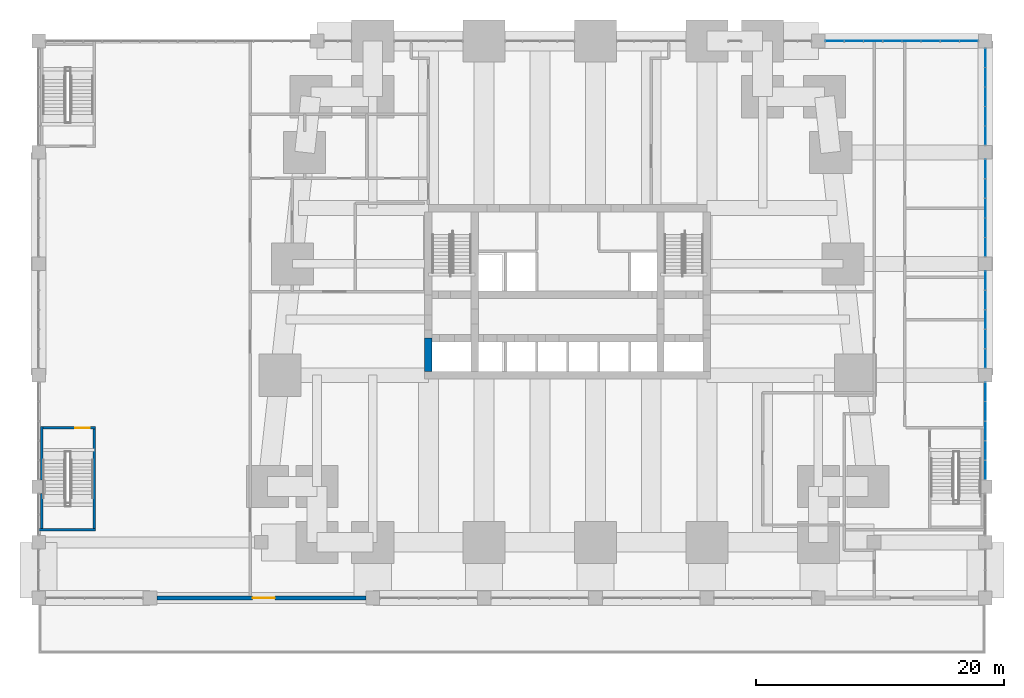
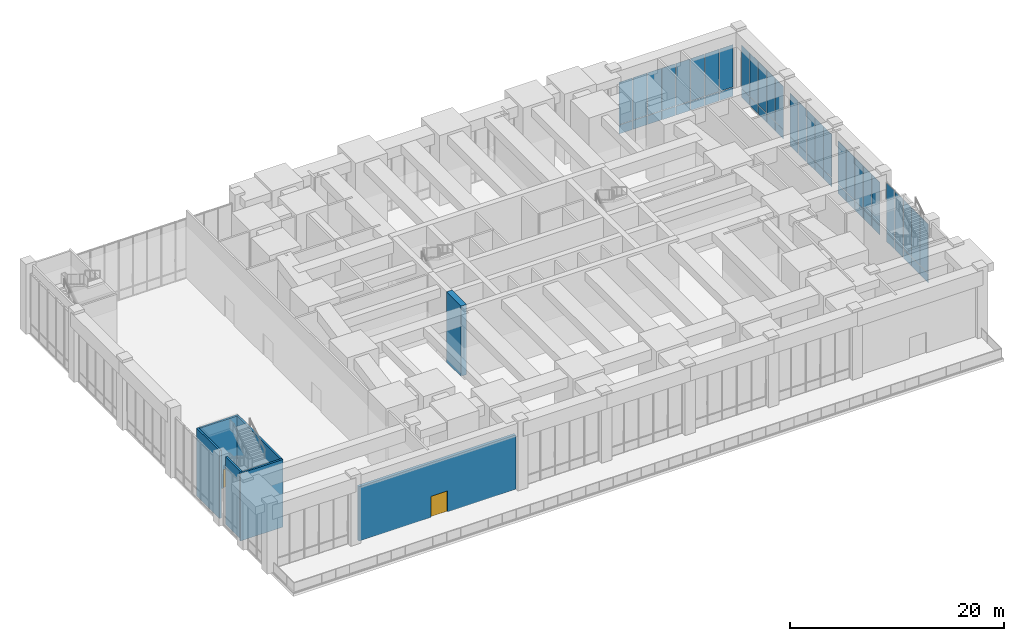
# One storey, part 17 of 26: 56 plates, 7 walls, 2 doors, 2 openings, 5 elements without a shape of their own.
"""IFC4 building model written with IfcOpenShell, lengths in metres."""

from ifc_helpers import new_model, si_unit, direction, frame, frame_2d, origin, origin_2d, place, context, subcontext, project, spatial, rectangle, extrude, material, layer, layer_set, type_object, element, fill, aggregate, save


model = new_model("IFC4")

# Units and contexts
model_context = context("Model", 3, precision=1e-05, world=origin(), true_north=direction((0.0, 1.0)))
body_context = subcontext(model_context, "Body", "Model", "MODEL_VIEW")
ifc_project = project(units=[si_unit("LENGTHUNIT", "METRE"), si_unit("AREAUNIT", "SQUARE_METRE"), si_unit("VOLUMEUNIT", "CUBIC_METRE"), si_unit("PLANEANGLEUNIT", "RADIAN"), si_unit("MASSUNIT", "GRAM", prefix="KILO")], contexts=[model_context])

# Site, building, storey
site_placement = place(None, origin())
site = spatial("IfcSite", under=ifc_project, at=site_placement, CompositionType="ELEMENT")
building_placement = place(site_placement, origin())
building = spatial("IfcBuilding", under=site, at=building_placement, Name="Kilele Tower Hotel", CompositionType="ELEMENT")
storey_placement = place(building_placement, frame((0.0, 0.0, 11.0)))
storey = spatial("IfcBuildingStorey", under=building, at=storey_placement, Name="L02", CompositionType="ELEMENT", Elevation=11.0)

# Curtain wall, plates
ifc_material_1 = material(Name="Aluminium curtain wall, clear double glazing", Category="aluminium")
curtain_wall_type_1 = type_object("IfcCurtainWallType", Name="Podium curtain wall CW-1", PredefinedType="NOTDEFINED", material=ifc_material_1)
curtain_wall_1_placement = place(storey_placement, origin())
curtain_wall_1 = element("IfcCurtainWall", 1, at=curtain_wall_1_placement, inside=storey, type_object=curtain_wall_type_1, Name="Podium curtain wall CW-1 L02", PredefinedType="NOTDEFINED")
ifc_material_2 = material(Name="Clear double glazing", Category="glass")
ifc_layer_1 = layer(ifc_material_2, 0.028076171875)
ifc_layer_set_1 = layer_set([ifc_layer_1], Name="Clear double glazing")
plate_type_1 = type_object("IfcPlateType", Name="Glazed panel 28 CW-1", PredefinedType="CURTAIN_PANEL", material=ifc_layer_set_1)
plate_1_placement = place(storey_placement, frame((57.159912109375, 40.5, 0.06005859375), z_axis=(0.0, 0.0, 1.0), x_axis=(-1.0, 0.0, 0.0)))
plate_1 = element("IfcPlate", 2, at=plate_1_placement, type_object=plate_type_1, Name="CW-1 panel 1.1", PredefinedType="CURTAIN_PANEL", context=body_context, shape_type="SweptSolid", body=[
    extrude(rectangle(XDim=1.4599609375, YDim=0.028076171875, at=origin_2d()), origin(), (0.0, 0.0, 1.0), 1.010009765625),
])
plate_2_placement = place(storey_placement, frame((57.159912109375, 40.5, 1.1298828125), z_axis=(0.0, 0.0, 1.0), x_axis=(-1.0, 0.0, 0.0)))
plate_2 = element("IfcPlate", 3, at=plate_2_placement, type_object=plate_type_1, Name="CW-1 panel 1.2", PredefinedType="CURTAIN_PANEL", context=body_context, shape_type="SweptSolid", body=[
    extrude(rectangle(XDim=1.4599609375, YDim=0.028076171875, at=origin_2d()), origin(), (0.0, 0.0, 1.0), 4.81005859375),
])
plate_3_placement = place(storey_placement, frame((55.625, 40.5, 0.06005859375), z_axis=(0.0, 0.0, 1.0), x_axis=(-1.0, 0.0, 0.0)))
plate_3 = element("IfcPlate", 4, at=plate_3_placement, type_object=plate_type_1, Name="CW-1 panel 2.1", PredefinedType="CURTAIN_PANEL", context=body_context, shape_type="SweptSolid", body=[
    extrude(rectangle(XDim=1.489990234375, YDim=0.028076171875, at=origin_2d()), origin(), (0.0, 0.0, 1.0), 1.010009765625),
])
plate_4_placement = place(storey_placement, frame((55.625, 40.5, 1.1298828125), z_axis=(0.0, 0.0, 1.0), x_axis=(-1.0, 0.0, 0.0)))
plate_4 = element("IfcPlate", 5, at=plate_4_placement, type_object=plate_type_1, Name="CW-1 panel 2.2", PredefinedType="CURTAIN_PANEL", context=body_context, shape_type="SweptSolid", body=[
    extrude(rectangle(XDim=1.489990234375, YDim=0.028076171875, at=origin_2d()), origin(), (0.0, 0.0, 1.0), 4.81005859375),
])
plate_5_placement = place(storey_placement, frame((54.074951171875, 40.5, 0.06005859375), z_axis=(0.0, 0.0, 1.0), x_axis=(-1.0, 0.0, 0.0)))
plate_5 = element("IfcPlate", 6, at=plate_5_placement, type_object=plate_type_1, Name="CW-1 panel 3.1", PredefinedType="CURTAIN_PANEL", context=body_context, shape_type="SweptSolid", body=[
    extrude(rectangle(XDim=1.489990234375, YDim=0.028076171875, at=origin_2d()), origin(), (0.0, 0.0, 1.0), 1.010009765625),
])
plate_6_placement = place(storey_placement, frame((54.074951171875, 40.5, 1.1298828125), z_axis=(0.0, 0.0, 1.0), x_axis=(-1.0, 0.0, 0.0)))
plate_6 = element("IfcPlate", 7, at=plate_6_placement, type_object=plate_type_1, Name="CW-1 panel 3.2", PredefinedType="CURTAIN_PANEL", context=body_context, shape_type="SweptSolid", body=[
    extrude(rectangle(XDim=1.489990234375, YDim=0.028076171875, at=origin_2d()), origin(), (0.0, 0.0, 1.0), 4.81005859375),
])
plate_7_placement = place(storey_placement, frame((52.52490234375, 40.5, 0.06005859375), z_axis=(0.0, 0.0, 1.0), x_axis=(-1.0, 0.0, 0.0)))
plate_7 = element("IfcPlate", 8, at=plate_7_placement, type_object=plate_type_1, Name="CW-1 panel 4.1", PredefinedType="CURTAIN_PANEL", context=body_context, shape_type="SweptSolid", body=[
    extrude(rectangle(XDim=1.489990234375, YDim=0.028076171875, at=origin_2d()), origin(), (0.0, 0.0, 1.0), 1.010009765625),
])
plate_8_placement = place(storey_placement, frame((52.52490234375, 40.5, 1.1298828125), z_axis=(0.0, 0.0, 1.0), x_axis=(-1.0, 0.0, 0.0)))
plate_8 = element("IfcPlate", 9, at=plate_8_placement, type_object=plate_type_1, Name="CW-1 panel 4.2", PredefinedType="CURTAIN_PANEL", context=body_context, shape_type="SweptSolid", body=[
    extrude(rectangle(XDim=1.489990234375, YDim=0.028076171875, at=origin_2d()), origin(), (0.0, 0.0, 1.0), 4.81005859375),
])
plate_9_placement = place(storey_placement, frame((50.97509765625, 40.5, 0.06005859375), z_axis=(0.0, 0.0, 1.0), x_axis=(-1.0, 0.0, 0.0)))
plate_9 = element("IfcPlate", 10, at=plate_9_placement, type_object=plate_type_1, Name="CW-1 panel 5.1", PredefinedType="CURTAIN_PANEL", context=body_context, shape_type="SweptSolid", body=[
    extrude(rectangle(XDim=1.489990234375, YDim=0.028076171875, at=origin_2d()), origin(), (0.0, 0.0, 1.0), 1.010009765625),
])
plate_10_placement = place(storey_placement, frame((50.97509765625, 40.5, 1.1298828125), z_axis=(0.0, 0.0, 1.0), x_axis=(-1.0, 0.0, 0.0)))
plate_10 = element("IfcPlate", 11, at=plate_10_placement, type_object=plate_type_1, Name="CW-1 panel 5.2", PredefinedType="CURTAIN_PANEL", context=body_context, shape_type="SweptSolid", body=[
    extrude(rectangle(XDim=1.489990234375, YDim=0.028076171875, at=origin_2d()), origin(), (0.0, 0.0, 1.0), 4.81005859375),
])
plate_11_placement = place(storey_placement, frame((49.425048828125, 40.5, 0.06005859375), z_axis=(0.0, 0.0, 1.0), x_axis=(-1.0, 0.0, 0.0)))
plate_11 = element("IfcPlate", 12, at=plate_11_placement, type_object=plate_type_1, Name="CW-1 panel 6.1", PredefinedType="CURTAIN_PANEL", context=body_context, shape_type="SweptSolid", body=[
    extrude(rectangle(XDim=1.489990234375, YDim=0.028076171875, at=origin_2d()), origin(), (0.0, 0.0, 1.0), 1.010009765625),
])
plate_12_placement = place(storey_placement, frame((49.425048828125, 40.5, 1.1298828125), z_axis=(0.0, 0.0, 1.0), x_axis=(-1.0, 0.0, 0.0)))
plate_12 = element("IfcPlate", 13, at=plate_12_placement, type_object=plate_type_1, Name="CW-1 panel 6.2", PredefinedType="CURTAIN_PANEL", context=body_context, shape_type="SweptSolid", body=[
    extrude(rectangle(XDim=1.489990234375, YDim=0.028076171875, at=origin_2d()), origin(), (0.0, 0.0, 1.0), 4.81005859375),
])
plate_13_placement = place(storey_placement, frame((47.875, 40.5, 0.06005859375), z_axis=(0.0, 0.0, 1.0), x_axis=(-1.0, 0.0, 0.0)))
plate_13 = element("IfcPlate", 14, at=plate_13_placement, type_object=plate_type_1, Name="CW-1 panel 7.1", PredefinedType="CURTAIN_PANEL", context=body_context, shape_type="SweptSolid", body=[
    extrude(rectangle(XDim=1.489990234375, YDim=0.028076171875, at=origin_2d()), origin(), (0.0, 0.0, 1.0), 1.010009765625),
])
plate_14_placement = place(storey_placement, frame((47.875, 40.5, 1.1298828125), z_axis=(0.0, 0.0, 1.0), x_axis=(-1.0, 0.0, 0.0)))
plate_14 = element("IfcPlate", 15, at=plate_14_placement, type_object=plate_type_1, Name="CW-1 panel 7.2", PredefinedType="CURTAIN_PANEL", context=body_context, shape_type="SweptSolid", body=[
    extrude(rectangle(XDim=1.489990234375, YDim=0.028076171875, at=origin_2d()), origin(), (0.0, 0.0, 1.0), 4.81005859375),
])
plate_15_placement = place(storey_placement, frame((46.340087890625, 40.5, 0.06005859375), z_axis=(0.0, 0.0, 1.0), x_axis=(-1.0, 0.0, 0.0)))
plate_15 = element("IfcPlate", 16, at=plate_15_placement, type_object=plate_type_1, Name="CW-1 panel 8.1", PredefinedType="CURTAIN_PANEL", context=body_context, shape_type="SweptSolid", body=[
    extrude(rectangle(XDim=1.4599609375, YDim=0.028076171875, at=origin_2d()), origin(), (0.0, 0.0, 1.0), 1.010009765625),
])
plate_16_placement = place(storey_placement, frame((46.340087890625, 40.5, 1.1298828125), z_axis=(0.0, 0.0, 1.0), x_axis=(-1.0, 0.0, 0.0)))
plate_16 = element("IfcPlate", 17, at=plate_16_placement, type_object=plate_type_1, Name="CW-1 panel 8.2", PredefinedType="CURTAIN_PANEL", context=body_context, shape_type="SweptSolid", body=[
    extrude(rectangle(XDim=1.4599609375, YDim=0.028076171875, at=origin_2d()), origin(), (0.0, 0.0, 1.0), 4.81005859375),
])
aggregate(curtain_wall_1, [plate_1, plate_2, plate_3, plate_4, plate_5, plate_6, plate_7, plate_8, plate_9, plate_10, plate_11, plate_12, plate_13, plate_14, plate_15, plate_16])

ifc_material_3 = material(Name="Aluminium curtain wall, clear double glazing", Category="aluminium")
curtain_wall_type_2 = type_object("IfcCurtainWallType", Name="Podium side curtain wall CW-2", PredefinedType="NOTDEFINED", material=ifc_material_3)
curtain_wall_2_placement = place(storey_placement, origin())
curtain_wall_2 = element("IfcCurtainWall", 18, at=curtain_wall_2_placement, inside=storey, type_object=curtain_wall_type_2, Name="Podium side curtain wall CW-2 L02", PredefinedType="NOTDEFINED")
ifc_material_4 = material(Name="Clear double glazing", Category="glass")
ifc_layer_2 = layer(ifc_material_4, 0.028076171875)
ifc_layer_set_2 = layer_set([ifc_layer_2], Name="Clear double glazing")
plate_type_2 = type_object("IfcPlateType", Name="Glazed panel 28 CW-2", PredefinedType="CURTAIN_PANEL", material=ifc_layer_set_2)
plate_17_placement = place(storey_placement, frame((58.5, 5.85498046875, 0.06005859375), z_axis=(0.0, 0.0, 1.0), x_axis=(0.0, 1.0, 0.0)))
plate_17 = element("IfcPlate", 19, at=plate_17_placement, type_object=plate_type_2, Name="CW-2 panel 1.1", PredefinedType="CURTAIN_PANEL", context=body_context, shape_type="SweptSolid", body=[
    extrude(rectangle(XDim=1.489990234375, YDim=0.028076171875, at=origin_2d()), origin(), (0.0, 0.0, 1.0), 1.010009765625),
])
plate_18_placement = place(storey_placement, frame((58.5, 5.85498046875, 1.1298828125), z_axis=(0.0, 0.0, 1.0), x_axis=(0.0, 1.0, 0.0)))
plate_18 = element("IfcPlate", 20, at=plate_18_placement, type_object=plate_type_2, Name="CW-2 panel 1.2", PredefinedType="CURTAIN_PANEL", context=body_context, shape_type="SweptSolid", body=[
    extrude(rectangle(XDim=1.489990234375, YDim=0.028076171875, at=origin_2d()), origin(), (0.0, 0.0, 1.0), 5.610107421875),
])
plate_19_placement = place(storey_placement, frame((58.5, 7.419921875, 0.06005859375), z_axis=(0.0, 0.0, 1.0), x_axis=(0.0, 1.0, 0.0)))
plate_19 = element("IfcPlate", 21, at=plate_19_placement, type_object=plate_type_2, Name="CW-2 panel 2.1", PredefinedType="CURTAIN_PANEL", context=body_context, shape_type="SweptSolid", body=[
    extrude(rectangle(XDim=1.52001953125, YDim=0.028076171875, at=origin_2d()), origin(), (0.0, 0.0, 1.0), 1.010009765625),
])
plate_20_placement = place(storey_placement, frame((58.5, 7.419921875, 1.1298828125), z_axis=(0.0, 0.0, 1.0), x_axis=(0.0, 1.0, 0.0)))
plate_20 = element("IfcPlate", 22, at=plate_20_placement, type_object=plate_type_2, Name="CW-2 panel 2.2", PredefinedType="CURTAIN_PANEL", context=body_context, shape_type="SweptSolid", body=[
    extrude(rectangle(XDim=1.52001953125, YDim=0.028076171875, at=origin_2d()), origin(), (0.0, 0.0, 1.0), 5.610107421875),
])
plate_21_placement = place(storey_placement, frame((58.5, 9.0, 0.06005859375), z_axis=(0.0, 0.0, 1.0), x_axis=(0.0, 1.0, 0.0)))
plate_21 = element("IfcPlate", 23, at=plate_21_placement, type_object=plate_type_2, Name="CW-2 panel 3.1", PredefinedType="CURTAIN_PANEL", context=body_context, shape_type="SweptSolid", body=[
    extrude(rectangle(XDim=1.52001953125, YDim=0.028076171875, at=origin_2d()), origin(), (0.0, 0.0, 1.0), 1.010009765625),
])
plate_22_placement = place(storey_placement, frame((58.5, 9.0, 1.1298828125), z_axis=(0.0, 0.0, 1.0), x_axis=(0.0, 1.0, 0.0)))
plate_22 = element("IfcPlate", 24, at=plate_22_placement, type_object=plate_type_2, Name="CW-2 panel 3.2", PredefinedType="CURTAIN_PANEL", context=body_context, shape_type="SweptSolid", body=[
    extrude(rectangle(XDim=1.52001953125, YDim=0.028076171875, at=origin_2d()), origin(), (0.0, 0.0, 1.0), 5.610107421875),
])
plate_23_placement = place(storey_placement, frame((58.5, 10.580078125, 0.06005859375), z_axis=(0.0, 0.0, 1.0), x_axis=(0.0, 1.0, 0.0)))
plate_23 = element("IfcPlate", 25, at=plate_23_placement, type_object=plate_type_2, Name="CW-2 panel 4.1", PredefinedType="CURTAIN_PANEL", context=body_context, shape_type="SweptSolid", body=[
    extrude(rectangle(XDim=1.52001953125, YDim=0.028076171875, at=origin_2d()), origin(), (0.0, 0.0, 1.0), 1.010009765625),
])
plate_24_placement = place(storey_placement, frame((58.5, 10.580078125, 1.1298828125), z_axis=(0.0, 0.0, 1.0), x_axis=(0.0, 1.0, 0.0)))
plate_24 = element("IfcPlate", 26, at=plate_24_placement, type_object=plate_type_2, Name="CW-2 panel 4.2", PredefinedType="CURTAIN_PANEL", context=body_context, shape_type="SweptSolid", body=[
    extrude(rectangle(XDim=1.52001953125, YDim=0.028076171875, at=origin_2d()), origin(), (0.0, 0.0, 1.0), 5.610107421875),
])
plate_25_placement = place(storey_placement, frame((58.5, 12.14501953125, 0.06005859375), z_axis=(0.0, 0.0, 1.0), x_axis=(0.0, 1.0, 0.0)))
plate_25 = element("IfcPlate", 27, at=plate_25_placement, type_object=plate_type_2, Name="CW-2 panel 5.1", PredefinedType="CURTAIN_PANEL", context=body_context, shape_type="SweptSolid", body=[
    extrude(rectangle(XDim=1.489990234375, YDim=0.028076171875, at=origin_2d()), origin(), (0.0, 0.0, 1.0), 1.010009765625),
])
plate_26_placement = place(storey_placement, frame((58.5, 12.14501953125, 1.1298828125), z_axis=(0.0, 0.0, 1.0), x_axis=(0.0, 1.0, 0.0)))
plate_26 = element("IfcPlate", 28, at=plate_26_placement, type_object=plate_type_2, Name="CW-2 panel 5.2", PredefinedType="CURTAIN_PANEL", context=body_context, shape_type="SweptSolid", body=[
    extrude(rectangle(XDim=1.489990234375, YDim=0.028076171875, at=origin_2d()), origin(), (0.0, 0.0, 1.0), 5.610107421875),
])
aggregate(curtain_wall_2, [plate_17, plate_18, plate_19, plate_20, plate_21, plate_22, plate_23, plate_24, plate_25, plate_26])

curtain_wall_3_placement = place(storey_placement, origin())
curtain_wall_3 = element("IfcCurtainWall", 29, at=curtain_wall_3_placement, inside=storey, type_object=curtain_wall_type_2, Name="Podium side curtain wall CW-2 L02", PredefinedType="NOTDEFINED")
plate_27_placement = place(storey_placement, frame((58.5, 14.85498046875, 0.06005859375), z_axis=(0.0, 0.0, 1.0), x_axis=(0.0, 1.0, 0.0)))
plate_27 = element("IfcPlate", 30, at=plate_27_placement, type_object=plate_type_2, Name="CW-2 panel 1.1", PredefinedType="CURTAIN_PANEL", context=body_context, shape_type="SweptSolid", body=[
    extrude(rectangle(XDim=1.489990234375, YDim=0.028076171875, at=origin_2d()), origin(), (0.0, 0.0, 1.0), 1.010009765625),
])
plate_28_placement = place(storey_placement, frame((58.5, 14.85498046875, 1.1298828125), z_axis=(0.0, 0.0, 1.0), x_axis=(0.0, 1.0, 0.0)))
plate_28 = element("IfcPlate", 31, at=plate_28_placement, type_object=plate_type_2, Name="CW-2 panel 1.2", PredefinedType="CURTAIN_PANEL", context=body_context, shape_type="SweptSolid", body=[
    extrude(rectangle(XDim=1.489990234375, YDim=0.028076171875, at=origin_2d()), origin(), (0.0, 0.0, 1.0), 4.909912109375),
])
plate_29_placement = place(storey_placement, frame((58.5, 16.419921875, 0.06005859375), z_axis=(0.0, 0.0, 1.0), x_axis=(0.0, 1.0, 0.0)))
plate_29 = element("IfcPlate", 32, at=plate_29_placement, type_object=plate_type_2, Name="CW-2 panel 2.1", PredefinedType="CURTAIN_PANEL", context=body_context, shape_type="SweptSolid", body=[
    extrude(rectangle(XDim=1.52001953125, YDim=0.028076171875, at=origin_2d()), origin(), (0.0, 0.0, 1.0), 1.010009765625),
])
plate_30_placement = place(storey_placement, frame((58.5, 16.419921875, 1.1298828125), z_axis=(0.0, 0.0, 1.0), x_axis=(0.0, 1.0, 0.0)))
plate_30 = element("IfcPlate", 33, at=plate_30_placement, type_object=plate_type_2, Name="CW-2 panel 2.2", PredefinedType="CURTAIN_PANEL", context=body_context, shape_type="SweptSolid", body=[
    extrude(rectangle(XDim=1.52001953125, YDim=0.028076171875, at=origin_2d()), origin(), (0.0, 0.0, 1.0), 4.909912109375),
])
plate_31_placement = place(storey_placement, frame((58.5, 18.0, 0.06005859375), z_axis=(0.0, 0.0, 1.0), x_axis=(0.0, 1.0, 0.0)))
plate_31 = element("IfcPlate", 34, at=plate_31_placement, type_object=plate_type_2, Name="CW-2 panel 3.1", PredefinedType="CURTAIN_PANEL", context=body_context, shape_type="SweptSolid", body=[
    extrude(rectangle(XDim=1.52001953125, YDim=0.028076171875, at=origin_2d()), origin(), (0.0, 0.0, 1.0), 1.010009765625),
])
plate_32_placement = place(storey_placement, frame((58.5, 18.0, 1.1298828125), z_axis=(0.0, 0.0, 1.0), x_axis=(0.0, 1.0, 0.0)))
plate_32 = element("IfcPlate", 35, at=plate_32_placement, type_object=plate_type_2, Name="CW-2 panel 3.2", PredefinedType="CURTAIN_PANEL", context=body_context, shape_type="SweptSolid", body=[
    extrude(rectangle(XDim=1.52001953125, YDim=0.028076171875, at=origin_2d()), origin(), (0.0, 0.0, 1.0), 4.909912109375),
])
plate_33_placement = place(storey_placement, frame((58.5, 19.580078125, 0.06005859375), z_axis=(0.0, 0.0, 1.0), x_axis=(0.0, 1.0, 0.0)))
plate_33 = element("IfcPlate", 36, at=plate_33_placement, type_object=plate_type_2, Name="CW-2 panel 4.1", PredefinedType="CURTAIN_PANEL", context=body_context, shape_type="SweptSolid", body=[
    extrude(rectangle(XDim=1.52001953125, YDim=0.028076171875, at=origin_2d()), origin(), (0.0, 0.0, 1.0), 1.010009765625),
])
plate_34_placement = place(storey_placement, frame((58.5, 19.580078125, 1.1298828125), z_axis=(0.0, 0.0, 1.0), x_axis=(0.0, 1.0, 0.0)))
plate_34 = element("IfcPlate", 37, at=plate_34_placement, type_object=plate_type_2, Name="CW-2 panel 4.2", PredefinedType="CURTAIN_PANEL", context=body_context, shape_type="SweptSolid", body=[
    extrude(rectangle(XDim=1.52001953125, YDim=0.028076171875, at=origin_2d()), origin(), (0.0, 0.0, 1.0), 4.909912109375),
])
plate_35_placement = place(storey_placement, frame((58.5, 21.14501953125, 0.06005859375), z_axis=(0.0, 0.0, 1.0), x_axis=(0.0, 1.0, 0.0)))
plate_35 = element("IfcPlate", 38, at=plate_35_placement, type_object=plate_type_2, Name="CW-2 panel 5.1", PredefinedType="CURTAIN_PANEL", context=body_context, shape_type="SweptSolid", body=[
    extrude(rectangle(XDim=1.489990234375, YDim=0.028076171875, at=origin_2d()), origin(), (0.0, 0.0, 1.0), 1.010009765625),
])
plate_36_placement = place(storey_placement, frame((58.5, 21.14501953125, 1.1298828125), z_axis=(0.0, 0.0, 1.0), x_axis=(0.0, 1.0, 0.0)))
plate_36 = element("IfcPlate", 39, at=plate_36_placement, type_object=plate_type_2, Name="CW-2 panel 5.2", PredefinedType="CURTAIN_PANEL", context=body_context, shape_type="SweptSolid", body=[
    extrude(rectangle(XDim=1.489990234375, YDim=0.028076171875, at=origin_2d()), origin(), (0.0, 0.0, 1.0), 4.909912109375),
])
aggregate(curtain_wall_3, [plate_27, plate_28, plate_29, plate_30, plate_31, plate_32, plate_33, plate_34, plate_35, plate_36])

curtain_wall_4_placement = place(storey_placement, origin())
curtain_wall_4 = element("IfcCurtainWall", 40, at=curtain_wall_4_placement, inside=storey, type_object=curtain_wall_type_2, Name="Podium side curtain wall CW-2 L02", PredefinedType="NOTDEFINED")
plate_37_placement = place(storey_placement, frame((58.5, 23.85498046875, 0.06005859375), z_axis=(0.0, 0.0, 1.0), x_axis=(0.0, 1.0, 0.0)))
plate_37 = element("IfcPlate", 41, at=plate_37_placement, type_object=plate_type_2, Name="CW-2 panel 1.1", PredefinedType="CURTAIN_PANEL", context=body_context, shape_type="SweptSolid", body=[
    extrude(rectangle(XDim=1.489990234375, YDim=0.028076171875, at=origin_2d()), origin(), (0.0, 0.0, 1.0), 1.010009765625),
])
plate_38_placement = place(storey_placement, frame((58.5, 23.85498046875, 1.1298828125), z_axis=(0.0, 0.0, 1.0), x_axis=(0.0, 1.0, 0.0)))
plate_38 = element("IfcPlate", 42, at=plate_38_placement, type_object=plate_type_2, Name="CW-2 panel 1.2", PredefinedType="CURTAIN_PANEL", context=body_context, shape_type="SweptSolid", body=[
    extrude(rectangle(XDim=1.489990234375, YDim=0.028076171875, at=origin_2d()), origin(), (0.0, 0.0, 1.0), 4.909912109375),
])
plate_39_placement = place(storey_placement, frame((58.5, 25.419921875, 0.06005859375), z_axis=(0.0, 0.0, 1.0), x_axis=(0.0, 1.0, 0.0)))
plate_39 = element("IfcPlate", 43, at=plate_39_placement, type_object=plate_type_2, Name="CW-2 panel 2.1", PredefinedType="CURTAIN_PANEL", context=body_context, shape_type="SweptSolid", body=[
    extrude(rectangle(XDim=1.52001953125, YDim=0.028076171875, at=origin_2d()), origin(), (0.0, 0.0, 1.0), 1.010009765625),
])
plate_40_placement = place(storey_placement, frame((58.5, 25.419921875, 1.1298828125), z_axis=(0.0, 0.0, 1.0), x_axis=(0.0, 1.0, 0.0)))
plate_40 = element("IfcPlate", 44, at=plate_40_placement, type_object=plate_type_2, Name="CW-2 panel 2.2", PredefinedType="CURTAIN_PANEL", context=body_context, shape_type="SweptSolid", body=[
    extrude(rectangle(XDim=1.52001953125, YDim=0.028076171875, at=origin_2d()), origin(), (0.0, 0.0, 1.0), 4.909912109375),
])
plate_41_placement = place(storey_placement, frame((58.5, 27.0, 0.06005859375), z_axis=(0.0, 0.0, 1.0), x_axis=(0.0, 1.0, 0.0)))
plate_41 = element("IfcPlate", 45, at=plate_41_placement, type_object=plate_type_2, Name="CW-2 panel 3.1", PredefinedType="CURTAIN_PANEL", context=body_context, shape_type="SweptSolid", body=[
    extrude(rectangle(XDim=1.52001953125, YDim=0.028076171875, at=origin_2d()), origin(), (0.0, 0.0, 1.0), 1.010009765625),
])
plate_42_placement = place(storey_placement, frame((58.5, 27.0, 1.1298828125), z_axis=(0.0, 0.0, 1.0), x_axis=(0.0, 1.0, 0.0)))
plate_42 = element("IfcPlate", 46, at=plate_42_placement, type_object=plate_type_2, Name="CW-2 panel 3.2", PredefinedType="CURTAIN_PANEL", context=body_context, shape_type="SweptSolid", body=[
    extrude(rectangle(XDim=1.52001953125, YDim=0.028076171875, at=origin_2d()), origin(), (0.0, 0.0, 1.0), 4.909912109375),
])
plate_43_placement = place(storey_placement, frame((58.5, 28.580078125, 0.06005859375), z_axis=(0.0, 0.0, 1.0), x_axis=(0.0, 1.0, 0.0)))
plate_43 = element("IfcPlate", 47, at=plate_43_placement, type_object=plate_type_2, Name="CW-2 panel 4.1", PredefinedType="CURTAIN_PANEL", context=body_context, shape_type="SweptSolid", body=[
    extrude(rectangle(XDim=1.52001953125, YDim=0.028076171875, at=origin_2d()), origin(), (0.0, 0.0, 1.0), 1.010009765625),
])
plate_44_placement = place(storey_placement, frame((58.5, 28.580078125, 1.1298828125), z_axis=(0.0, 0.0, 1.0), x_axis=(0.0, 1.0, 0.0)))
plate_44 = element("IfcPlate", 48, at=plate_44_placement, type_object=plate_type_2, Name="CW-2 panel 4.2", PredefinedType="CURTAIN_PANEL", context=body_context, shape_type="SweptSolid", body=[
    extrude(rectangle(XDim=1.52001953125, YDim=0.028076171875, at=origin_2d()), origin(), (0.0, 0.0, 1.0), 4.909912109375),
])
plate_45_placement = place(storey_placement, frame((58.5, 30.14501953125, 0.06005859375), z_axis=(0.0, 0.0, 1.0), x_axis=(0.0, 1.0, 0.0)))
plate_45 = element("IfcPlate", 49, at=plate_45_placement, type_object=plate_type_2, Name="CW-2 panel 5.1", PredefinedType="CURTAIN_PANEL", context=body_context, shape_type="SweptSolid", body=[
    extrude(rectangle(XDim=1.489990234375, YDim=0.028076171875, at=origin_2d()), origin(), (0.0, 0.0, 1.0), 1.010009765625),
])
plate_46_placement = place(storey_placement, frame((58.5, 30.14501953125, 1.1298828125), z_axis=(0.0, 0.0, 1.0), x_axis=(0.0, 1.0, 0.0)))
plate_46 = element("IfcPlate", 50, at=plate_46_placement, type_object=plate_type_2, Name="CW-2 panel 5.2", PredefinedType="CURTAIN_PANEL", context=body_context, shape_type="SweptSolid", body=[
    extrude(rectangle(XDim=1.489990234375, YDim=0.028076171875, at=origin_2d()), origin(), (0.0, 0.0, 1.0), 4.909912109375),
])
aggregate(curtain_wall_4, [plate_37, plate_38, plate_39, plate_40, plate_41, plate_42, plate_43, plate_44, plate_45, plate_46])

curtain_wall_5_placement = place(storey_placement, origin())
curtain_wall_5 = element("IfcCurtainWall", 51, at=curtain_wall_5_placement, inside=storey, type_object=curtain_wall_type_2, Name="Podium side curtain wall CW-2 L02", PredefinedType="NOTDEFINED")
plate_47_placement = place(storey_placement, frame((58.5, 32.85498046875, 0.06005859375), z_axis=(0.0, 0.0, 1.0), x_axis=(0.0, 1.0, 0.0)))
plate_47 = element("IfcPlate", 52, at=plate_47_placement, type_object=plate_type_2, Name="CW-2 panel 1.1", PredefinedType="CURTAIN_PANEL", context=body_context, shape_type="SweptSolid", body=[
    extrude(rectangle(XDim=1.489990234375, YDim=0.028076171875, at=origin_2d()), origin(), (0.0, 0.0, 1.0), 1.010009765625),
])
plate_48_placement = place(storey_placement, frame((58.5, 32.85498046875, 1.1298828125), z_axis=(0.0, 0.0, 1.0), x_axis=(0.0, 1.0, 0.0)))
plate_48 = element("IfcPlate", 53, at=plate_48_placement, type_object=plate_type_2, Name="CW-2 panel 1.2", PredefinedType="CURTAIN_PANEL", context=body_context, shape_type="SweptSolid", body=[
    extrude(rectangle(XDim=1.489990234375, YDim=0.028076171875, at=origin_2d()), origin(), (0.0, 0.0, 1.0), 4.909912109375),
])
plate_49_placement = place(storey_placement, frame((58.5, 34.419921875, 0.06005859375), z_axis=(0.0, 0.0, 1.0), x_axis=(0.0, 1.0, 0.0)))
plate_49 = element("IfcPlate", 54, at=plate_49_placement, type_object=plate_type_2, Name="CW-2 panel 2.1", PredefinedType="CURTAIN_PANEL", context=body_context, shape_type="SweptSolid", body=[
    extrude(rectangle(XDim=1.52001953125, YDim=0.028076171875, at=origin_2d()), origin(), (0.0, 0.0, 1.0), 1.010009765625),
])
plate_50_placement = place(storey_placement, frame((58.5, 34.419921875, 1.1298828125), z_axis=(0.0, 0.0, 1.0), x_axis=(0.0, 1.0, 0.0)))
plate_50 = element("IfcPlate", 55, at=plate_50_placement, type_object=plate_type_2, Name="CW-2 panel 2.2", PredefinedType="CURTAIN_PANEL", context=body_context, shape_type="SweptSolid", body=[
    extrude(rectangle(XDim=1.52001953125, YDim=0.028076171875, at=origin_2d()), origin(), (0.0, 0.0, 1.0), 4.909912109375),
])
plate_51_placement = place(storey_placement, frame((58.5, 36.0, 0.06005859375), z_axis=(0.0, 0.0, 1.0), x_axis=(0.0, 1.0, 0.0)))
plate_51 = element("IfcPlate", 56, at=plate_51_placement, type_object=plate_type_2, Name="CW-2 panel 3.1", PredefinedType="CURTAIN_PANEL", context=body_context, shape_type="SweptSolid", body=[
    extrude(rectangle(XDim=1.52001953125, YDim=0.028076171875, at=origin_2d()), origin(), (0.0, 0.0, 1.0), 1.010009765625),
])
plate_52_placement = place(storey_placement, frame((58.5, 36.0, 1.1298828125), z_axis=(0.0, 0.0, 1.0), x_axis=(0.0, 1.0, 0.0)))
plate_52 = element("IfcPlate", 57, at=plate_52_placement, type_object=plate_type_2, Name="CW-2 panel 3.2", PredefinedType="CURTAIN_PANEL", context=body_context, shape_type="SweptSolid", body=[
    extrude(rectangle(XDim=1.52001953125, YDim=0.028076171875, at=origin_2d()), origin(), (0.0, 0.0, 1.0), 4.909912109375),
])
plate_53_placement = place(storey_placement, frame((58.5, 37.580078125, 0.06005859375), z_axis=(0.0, 0.0, 1.0), x_axis=(0.0, 1.0, 0.0)))
plate_53 = element("IfcPlate", 58, at=plate_53_placement, type_object=plate_type_2, Name="CW-2 panel 4.1", PredefinedType="CURTAIN_PANEL", context=body_context, shape_type="SweptSolid", body=[
    extrude(rectangle(XDim=1.52001953125, YDim=0.028076171875, at=origin_2d()), origin(), (0.0, 0.0, 1.0), 1.010009765625),
])
plate_54_placement = place(storey_placement, frame((58.5, 37.580078125, 1.1298828125), z_axis=(0.0, 0.0, 1.0), x_axis=(0.0, 1.0, 0.0)))
plate_54 = element("IfcPlate", 59, at=plate_54_placement, type_object=plate_type_2, Name="CW-2 panel 4.2", PredefinedType="CURTAIN_PANEL", context=body_context, shape_type="SweptSolid", body=[
    extrude(rectangle(XDim=1.52001953125, YDim=0.028076171875, at=origin_2d()), origin(), (0.0, 0.0, 1.0), 4.909912109375),
])
plate_55_placement = place(storey_placement, frame((58.5, 39.14501953125, 0.06005859375), z_axis=(0.0, 0.0, 1.0), x_axis=(0.0, 1.0, 0.0)))
plate_55 = element("IfcPlate", 60, at=plate_55_placement, type_object=plate_type_2, Name="CW-2 panel 5.1", PredefinedType="CURTAIN_PANEL", context=body_context, shape_type="SweptSolid", body=[
    extrude(rectangle(XDim=1.489990234375, YDim=0.028076171875, at=origin_2d()), origin(), (0.0, 0.0, 1.0), 1.010009765625),
])
plate_56_placement = place(storey_placement, frame((58.5, 39.14501953125, 1.1298828125), z_axis=(0.0, 0.0, 1.0), x_axis=(0.0, 1.0, 0.0)))
plate_56 = element("IfcPlate", 61, at=plate_56_placement, type_object=plate_type_2, Name="CW-2 panel 5.2", PredefinedType="CURTAIN_PANEL", context=body_context, shape_type="SweptSolid", body=[
    extrude(rectangle(XDim=1.489990234375, YDim=0.028076171875, at=origin_2d()), origin(), (0.0, 0.0, 1.0), 4.909912109375),
])
aggregate(curtain_wall_5, [plate_47, plate_48, plate_49, plate_50, plate_51, plate_52, plate_53, plate_54, plate_55, plate_56])

# Wall
ifc_material_5 = material(Name="Concrete C60/75", Category="concrete")
ifc_layer_3 = layer(ifc_material_5, 0.60009765625)
ifc_layer_set_3 = layer_set([ifc_layer_3], Name="Concrete C60/75")
wall_type_1 = type_object("IfcWallType", Name="Core wall 600 C60/75", PredefinedType="SHEAR", material=ifc_layer_set_3)
wall_1_placement = place(storey_placement, frame((13.5, 16.5, 0.0), z_axis=(0.0, 0.0, 1.0), x_axis=(0.0, -1.0, 0.0)))
element("IfcWall", 62, at=wall_1_placement, inside=storey, type_object=wall_type_1, Name="Core wall W3 L02", PredefinedType="SHEAR", context=body_context, shape_type="SweptSolid", body=[
    extrude(rectangle(XDim=2.699951171875, YDim=0.60009765625, at=frame_2d((1.35009765625, 0.0))), origin(), (0.0, 0.0, 1.0), 8.0),
])

# Wall, opening, door
ifc_material_6 = material(Name="Concrete C40/50 precast", Category="concrete")
ifc_layer_4 = layer(ifc_material_6, 0.260009765625, Name="Precast backing", Category="LoadBearing")
ifc_material_7 = material(Name="Reconstituted stone finish", Category="masonry")
ifc_layer_5 = layer(ifc_material_7, 0.0400390625, Name="Face mix", Category="Finish")
ifc_layer_set_4 = layer_set([ifc_layer_4, ifc_layer_5], Name="Precast concrete C40/50, reconstituted stone finish")
wall_type_2 = type_object("IfcWallType", Name="Precast stone facade wall 300", PredefinedType="STANDARD", material=ifc_layer_set_4)
wall_2_placement = place(storey_placement, frame((-8.449951171875, -4.5, 0.0), z_axis=(0.0, 0.0, 1.0), x_axis=(1.0, 0.0, 0.0)))
wall_2 = element("IfcWall", 63, at=wall_2_placement, inside=storey, type_object=wall_type_2, Name="Podium terrace wall L02", PredefinedType="STANDARD", context=body_context, shape_type="SweptSolid", body=[
    extrude(rectangle(XDim=16.89990234375, YDim=0.300048828125, at=frame_2d((8.449951171875, 0.0))), origin(), (0.0, 0.0, 1.0), 6.199951171875),
])
opening_1_placement = place(wall_2_placement, frame((7.75, 0.0, 0.0)))
opening_1 = element("IfcOpeningElement", 64, at=opening_1_placement, cuts=wall_2, Name="Opening TD2", PredefinedType="OPENING", context=body_context, shape_type="SweptSolid", body=[
    extrude(rectangle(XDim=1.800048828125, YDim=2.39990234375, at=frame_2d((0.89990234375, 1.199951171875))), frame((0.0, 0.159912109375, 0.0), z_axis=(0.0, -1.0, 0.0), x_axis=(1.0, 0.0, 0.0)), (0.0, 0.0, 1.0), 0.320068359375),
])
ifc_material_8 = material(Name="Aluminium frame, clear glazing", Category="aluminium")
door_type_1 = type_object("IfcDoorType", Name="Terrace door 1800", OperationType="DOUBLE_DOOR_SINGLE_SWING", PredefinedType="DOOR", material=ifc_material_8)
door_1_placement = place(opening_1_placement, origin())
door_1 = element("IfcDoor", 65, at=door_1_placement, inside=storey, type_object=door_type_1, Name="Terrace door", OperationType="DOUBLE_DOOR_SINGLE_SWING", OverallHeight=2.39990234375, OverallWidth=1.800048828125, PredefinedType="DOOR", context=body_context, shape_type="SweptSolid", body=[
    extrude(rectangle(XDim=1.800048828125, YDim=2.39990234375, at=frame_2d((0.89990234375, 1.199951171875))), frame((0.0, 0.02490234375, 0.0), z_axis=(0.0, -1.0, 0.0), x_axis=(1.0, 0.0, 0.0)), (0.0, 0.0, 1.0), 0.050048828125),
])
fill(opening_1, door_1)

ifc_material_9 = material(Name="Concrete C40/50", Category="concrete")
ifc_layer_6 = layer(ifc_material_9, 0.199951171875)
ifc_layer_set_5 = layer_set([ifc_layer_6], Name="Concrete C40/50")
wall_type_3 = type_object("IfcWallType", Name="Stair wall RC 200 C40/50", PredefinedType="SOLIDWALL", material=ifc_layer_set_5)
wall_3_placement = place(storey_placement, frame((-17.64990234375, 9.25, 0.0), z_axis=(0.0, 0.0, 1.0), x_axis=(1.0, 0.0, 0.0)))
wall_3 = element("IfcWall", 66, at=wall_3_placement, inside=storey, type_object=wall_type_3, Name="Stair wall RC 200 C40/50 L02", PredefinedType="SOLIDWALL", context=body_context, shape_type="SweptSolid", body=[
    extrude(rectangle(XDim=4.25, YDim=0.199951171875, at=frame_2d((2.125, 0.0))), origin(), (0.0, 0.0, 1.0), 7.699951171875),
])
opening_2_placement = place(wall_3_placement, frame((3.800048828125, 0.0, 0.0), z_axis=(0.0, 0.0, 1.0), x_axis=(-1.0, 0.0, 0.0)))
opening_2 = element("IfcOpeningElement", 67, at=opening_2_placement, cuts=wall_3, Name="Opening D5A", PredefinedType="OPENING", context=body_context, shape_type="SweptSolid", body=[
    extrude(rectangle(XDim=1.199951171875, YDim=2.10009765625, at=frame_2d((0.60009765625, 1.050048828125))), frame((0.0, 0.10986328125, 0.0), z_axis=(0.0, -1.0, 0.0), x_axis=(1.0, 0.0, 0.0)), (0.0, 0.0, 1.0), 0.219970703125),
])
ifc_material_10 = material(Name="Timber door leaf in hardwood frame", Category="wood")
door_type_2 = type_object("IfcDoorType", Name="Stair door 1200", OperationType="SINGLE_SWING_LEFT", PredefinedType="DOOR", material=ifc_material_10)
door_2_placement = place(opening_2_placement, origin())
door_2 = element("IfcDoor", 68, at=door_2_placement, inside=storey, type_object=door_type_2, Name="Stair 4 door", OperationType="SINGLE_SWING_LEFT", OverallHeight=2.10009765625, OverallWidth=1.199951171875, PredefinedType="DOOR", context=body_context, shape_type="SweptSolid", body=[
    extrude(rectangle(XDim=1.199951171875, YDim=2.10009765625, at=frame_2d((0.60009765625, 1.050048828125))), frame((0.0, 0.02490234375, 0.0), z_axis=(0.0, -1.0, 0.0), x_axis=(1.0, 0.0, 0.0)), (0.0, 0.0, 1.0), 0.050048828125),
])
fill(opening_2, door_2)

# Walls
wall_4_placement = place(storey_placement, frame((-18.0, 1.0, 0.0), z_axis=(0.0, 0.0, 1.0), x_axis=(1.0, 0.0, 0.0)))
element("IfcWall", 69, at=wall_4_placement, inside=storey, type_object=wall_type_3, Name="Stair wall RC 200 C40/50 L02", PredefinedType="SOLIDWALL", context=body_context, shape_type="SweptSolid", body=[
    extrude(rectangle(XDim=4.60009765625, YDim=0.199951171875, at=frame_2d((2.300048828125, 0.0))), origin(), (0.0, 0.0, 1.0), 7.699951171875),
])
wall_5_placement = place(storey_placement, frame((-13.5, 1.10009765625, 0.0), z_axis=(0.0, 0.0, 1.0), x_axis=(0.0, 1.0, 0.0)))
element("IfcWall", 70, at=wall_5_placement, inside=storey, type_object=wall_type_3, Name="Stair wall RC 200 C40/50 L02", PredefinedType="SOLIDWALL", context=body_context, shape_type="SweptSolid", body=[
    extrude(rectangle(XDim=8.0498046875, YDim=0.199951171875, at=frame_2d((4.02490234375, 0.0))), origin(), (0.0, 0.0, 1.0), 7.699951171875),
])
wall_6_placement = place(storey_placement, frame((-17.75, 1.10009765625, 0.0), z_axis=(0.0, 0.0, 1.0), x_axis=(0.0, 1.0, 0.0)))
element("IfcWall", 71, at=wall_6_placement, inside=storey, type_object=wall_type_3, Name="Stair wall RC 200 C40/50 L02", PredefinedType="SOLIDWALL", context=body_context, shape_type="SweptSolid", body=[
    extrude(rectangle(XDim=2.849853515625, YDim=0.199951171875, at=frame_2d((1.4248046875, 0.0))), origin(), (0.0, 0.0, 1.0), 7.699951171875),
])
wall_7_placement = place(storey_placement, frame((-17.75, 5.050048828125, 0.0), z_axis=(0.0, 0.0, 1.0), x_axis=(0.0, 1.0, 0.0)))
element("IfcWall", 72, at=wall_7_placement, inside=storey, type_object=wall_type_3, Name="Stair wall RC 200 C40/50 L02", PredefinedType="SOLIDWALL", context=body_context, shape_type="SweptSolid", body=[
    extrude(rectangle(XDim=4.300048828125, YDim=0.199951171875, at=frame_2d((2.14990234375, 0.0))), origin(), (0.0, 0.0, 1.0), 7.699951171875),
])

save(model, "model.ifc")
